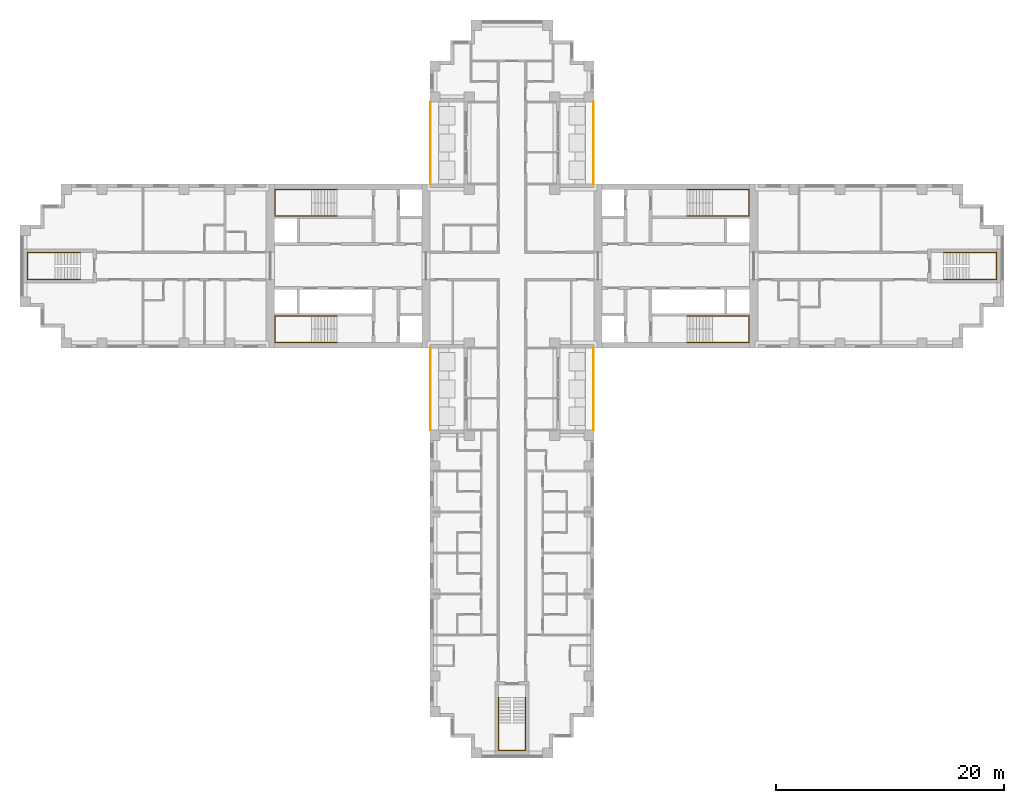
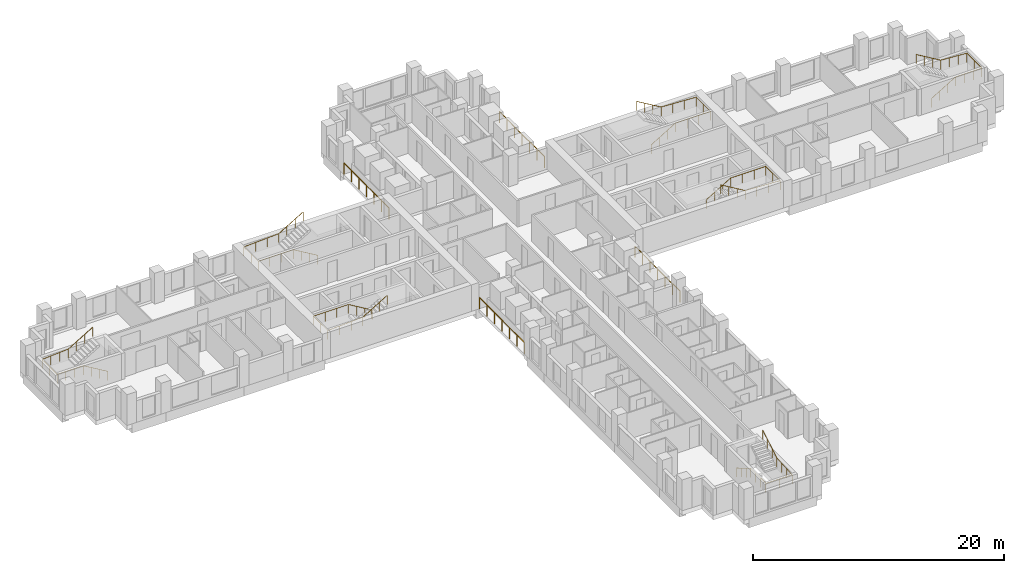
# One storey, part 13 of 14: 11 railings.
"""IFC4 building model written with IfcOpenShell, lengths in metres."""

import ifcopenshell
import ifcopenshell.guid

model = None  # the IFC model being written
_history = None  # IfcOwnerHistory: only IFC2X3 demands one
_inside = {}  # id of a spatial element -> (the spatial element, [elements in it])
_under = {}  # id of a project, library or spatial element -> (it, [spatial elements below it])
_declared = {}  # id of a project -> (the project, [libraries it declares])
_typed = {}  # id of a type object -> (the type object, [elements of that type])
_made_of = {}  # id of a material, layer set ... -> (it, [elements and type objects made of it])


def new_model(schema):
    """Start an empty IFC model of exactly this schema.

    Asked for "IFC4X3", IfcOpenShell would pick the latest addendum, in which some entities
    have other attributes; the version numbers below select the first issue.
    IFC2X3 requires an IfcOwnerHistory on every rooted entity: one is made here for all.
    """
    global model, _history
    if schema == "IFC4X3":
        model = ifcopenshell.file(schema_version=(4, 3, 0, 0))
    else:
        model = ifcopenshell.file(schema=schema)
    _inside.clear()
    _under.clear()
    _declared.clear()
    _typed.clear()
    _made_of.clear()
    _history = None
    if model.schema == "IFC2X3":
        org = make("IfcOrganization", Name="unknown")
        user = make(
            "IfcPersonAndOrganization",
            ThePerson=make("IfcPerson", FamilyName="unknown"),
            TheOrganization=org,
        )
        app = make(
            "IfcApplication",
            ApplicationDeveloper=org,
            Version="unknown",
            ApplicationFullName="unknown",
            ApplicationIdentifier="unknown",
        )
        _history = make(
            "IfcOwnerHistory",
            OwningUser=user,
            OwningApplication=app,
            ChangeAction="ADDED",
            CreationDate=0,
        )
    return model


def make(cls, **values):
    """One entity of the class cls with the attributes given. An attribute that is None is left unset."""
    return model.create_entity(
        cls, **{name: value for name, value in values.items() if value is not None}
    )


def rooted(cls, **values):
    """An entity with a GlobalId (a new one), such as an element, a storey or a relation."""
    return make(cls, GlobalId=ifcopenshell.guid.new(), OwnerHistory=_history, **values)


def si_unit(unit_type, name, prefix=None):
    """IfcSIUnit, for example si_unit("LENGTHUNIT", "METRE", prefix="MILLI")."""
    return make("IfcSIUnit", UnitType=unit_type, Prefix=prefix, Name=name)


def assignment(units):
    """IfcUnitAssignment: the units of a project."""
    return None if units is None else make("IfcUnitAssignment", Units=units)


def point(xyz):
    """IfcCartesianPoint."""
    return None if xyz is None else make("IfcCartesianPoint", Coordinates=xyz)


def direction(xyz):
    """IfcDirection."""
    return None if xyz is None else make("IfcDirection", DirectionRatios=xyz)


def frame(location, z_axis=None, x_axis=None):
    """IfcAxis2Placement3D, a coordinate frame: its origin and axes. An axis left out is left unset."""
    return make(
        "IfcAxis2Placement3D",
        Location=point(location),
        Axis=direction(z_axis),
        RefDirection=direction(x_axis),
    )


def frame_2d(location, x_axis=None):
    """IfcAxis2Placement2D, a coordinate frame in the plane: its origin and x axis."""
    return make(
        "IfcAxis2Placement2D", Location=point(location), RefDirection=direction(x_axis)
    )


def origin():
    """The frame at (0, 0, 0) with its axes left unset."""
    return frame((0.0, 0.0, 0.0))


def origin_2d():
    """The frame at (0, 0) in the plane with its x axis left unset."""
    return frame_2d((0.0, 0.0))


def place(relative_to, where):
    """IfcLocalPlacement: puts the frame where relative to a parent placement (None: the world)."""
    return make(
        "IfcLocalPlacement", PlacementRelTo=relative_to, RelativePlacement=where
    )


def context(
    kind, dimensions, precision=None, world=None, true_north=None, identifier=None
):
    """IfcGeometricRepresentationContext, for example the 3D "Model" context."""
    return make(
        "IfcGeometricRepresentationContext",
        ContextIdentifier=identifier,
        ContextType=kind,
        CoordinateSpaceDimension=dimensions,
        Precision=precision,
        WorldCoordinateSystem=world,
        TrueNorth=true_north,
    )


def subcontext(parent, identifier, kind, view, scale=None):
    """IfcGeometricRepresentationSubContext, for example "Body" below "Model"."""
    return make(
        "IfcGeometricRepresentationSubContext",
        ContextIdentifier=identifier,
        ContextType=kind,
        ParentContext=parent,
        TargetScale=scale,
        TargetView=view,
    )


def project(units=None, contexts=None):
    """IfcProject with its units and contexts."""
    return rooted(
        "IfcProject",
        Name="project",
        RepresentationContexts=contexts,
        UnitsInContext=assignment(units),
    )


def spatial(cls, under=None, at=None, **own):
    """A site, building, storey or space (cls), placed at a placement, below another one or the project."""
    s = rooted(cls, ObjectPlacement=at, **own)
    if under is not None:
        _under.setdefault(under.id(), (under, []))[1].append(s)
    return s


def profile(cls, at=None, kind="AREA", **sizes):
    """A parametric profile (cls). Its sizes go by their IFC names, for example OverallWidth=200.0."""
    return make(cls, ProfileType=kind, Position=at, **sizes)


def circle(**sizes):
    """IfcCircleProfileDef."""
    return profile("IfcCircleProfileDef", **sizes)


def extrude(swept, where, along, depth):
    """IfcExtrudedAreaSolid: the profile swept, set in the frame where, extruded along a direction by depth."""
    return make(
        "IfcExtrudedAreaSolid",
        SweptArea=swept,
        Position=where,
        ExtrudedDirection=direction(along),
        Depth=depth,
    )


def shape(context_of_items, identifier, shape_type, items):
    """IfcShapeRepresentation: the items that make up one representation, for example the "Body"."""
    return make(
        "IfcShapeRepresentation",
        ContextOfItems=context_of_items,
        RepresentationIdentifier=identifier,
        RepresentationType=shape_type,
        Items=items,
    )


def material(Name=None, Category=None):
    """IfcMaterial."""
    return make("IfcMaterial", Name=Name, Category=Category)


def made_of(thing, what):
    """Note that an element or type object is made of a material, layer set ...; save() writes the relation."""
    if what is not None:
        _made_of.setdefault(what.id(), (what, []))[1].append(thing)
    return thing


def type_object(cls, material=None, **own):
    """A type object (cls), such as IfcWallType, which elements share."""
    return made_of(rooted(cls, **own), material)


def element(
    cls,
    number,
    at=None,
    inside=None,
    cuts=None,
    type_object=None,
    material=None,
    context=None,
    identifier="Body",
    shape_type=None,
    held_by="IfcProductDefinitionShape",
    body=None,
    shapes=None,
    **own,
):
    """One element of the class cls, such as IfcWall. Its Tag is "e" and its number.

    at: its placement. inside: the storey or other place that contains it. cuts: it is an
    opening in that element (IfcRelVoidsElement). A single representation is given by context,
    identifier, shape_type and body (its items); several are given by shapes. held_by: the class
    of the entity that holds the representations. save() writes the other relations.
    """
    e = rooted(cls, Tag="e%d" % number, ObjectPlacement=at, **own)
    if body is not None:
        shapes = [shape(context, identifier, shape_type, body)]
    if shapes is not None:
        e.Representation = make(held_by, Representations=shapes)
    if inside is not None:
        _inside.setdefault(inside.id(), (inside, []))[1].append(e)
    if cuts is not None:
        rooted(
            "IfcRelVoidsElement", RelatingBuildingElement=cuts, RelatedOpeningElement=e
        )
    if type_object is not None:
        _typed.setdefault(type_object.id(), (type_object, []))[1].append(e)
    return made_of(e, material)


def aggregate(whole, parts):
    """IfcRelAggregates: a whole, such as a stair, and the parts it consists of."""
    return rooted("IfcRelAggregates", RelatingObject=whole, RelatedObjects=parts)


def save(model, path):
    """Write the relations noted so far, then the file.

    IfcRelAggregates (storeys below a building ...), IfcRelContainedInSpatialStructure (elements
    in a storey), IfcRelDefinesByType, IfcRelAssociatesMaterial and IfcRelDeclares: one each for
    every whole, place, type object, material and project.
    """
    for whole, parts in _under.values():
        aggregate(whole, parts)
    for where, things in _inside.values():
        rooted(
            "IfcRelContainedInSpatialStructure",
            RelatedElements=things,
            RelatingStructure=where,
        )
    for kind, things in _typed.values():
        rooted("IfcRelDefinesByType", RelatedObjects=things, RelatingType=kind)
    for what, things in _made_of.values():
        rooted("IfcRelAssociatesMaterial", RelatedObjects=things, RelatingMaterial=what)
    for by, libraries in _declared.values():
        rooted("IfcRelDeclares", RelatingContext=by, RelatedDefinitions=libraries)
    model.write(path)


model = new_model("IFC4")

# Units and contexts
model_context = context("Model", 3, precision=1e-05, world=origin(), true_north=direction((0.0, 1.0)))
body_context = subcontext(model_context, "Body", "Model", "MODEL_VIEW")
ifc_project = project(units=[si_unit("LENGTHUNIT", "METRE"), si_unit("AREAUNIT", "SQUARE_METRE"), si_unit("VOLUMEUNIT", "CUBIC_METRE"), si_unit("PLANEANGLEUNIT", "RADIAN"), si_unit("MASSUNIT", "GRAM", prefix="KILO")], contexts=[model_context])

# Site, building, storey
site_placement = place(None, origin())
site = spatial("IfcSite", under=ifc_project, at=site_placement, CompositionType="ELEMENT")
building_placement = place(site_placement, origin())
building = spatial("IfcBuilding", under=site, at=building_placement, Name="Fustian Cross Tower", CompositionType="ELEMENT")
storey_placement = place(building_placement, frame((0.0, 0.0, 69.89990234375)))
storey = spatial("IfcBuildingStorey", under=building, at=storey_placement, Name="L21", CompositionType="ELEMENT", Elevation=69.89990234375)

# Railings
ifc_material_1 = material(Name="Stainless steel and glass", Category="steel")
railing_type_1 = type_object("IfcRailingType", Name="GR1 BALCONY GUARD 1100", PredefinedType="GUARDRAIL", material=ifc_material_1)
for number, where, name in (
    (1, (7.14990234375, 7.199951171875, 0.0), "Balcony guard"),
    (2, (-7.14990234375, 7.199951171875, 0.0), "Balcony guard"),
    (3, (7.14990234375, -14.39990234375, 0.0), "Balcony guard"),
    (4, (-7.14990234375, -14.39990234375, 0.0), "Balcony guard"),
):
    element("IfcRailing", number, at=place(storey_placement, frame(where)), inside=storey, type_object=railing_type_1, Name=name, PredefinedType="GUARDRAIL", context=body_context, shape_type="SweptSolid", body=[
        extrude(circle(Radius=0.02392578125, at=origin_2d()), frame((0.0, 0.0, 1.076171875), z_axis=(0.0, 1.0, 0.0), x_axis=(-1.0, 0.0, 0.0)), (0.0, 0.0, 1.0), 7.199951171875),
        extrude(circle(Radius=0.02099609375, at=origin_2d()), origin(), (0.0, 0.0, 1.0), 1.052001953125),
        extrude(circle(Radius=0.02099609375, at=origin_2d()), frame((0.0, 1.199951171875, 0.0)), (0.0, 0.0, 1.0), 1.052001953125),
        extrude(circle(Radius=0.02099609375, at=origin_2d()), frame((0.0, 2.39990234375, 0.0)), (0.0, 0.0, 1.0), 1.052001953125),
        extrude(circle(Radius=0.02099609375, at=origin_2d()), frame((0.0, 3.60009765625, 0.0)), (0.0, 0.0, 1.0), 1.052001953125),
        extrude(circle(Radius=0.02099609375, at=origin_2d()), frame((0.0, 4.800048828125, 0.0)), (0.0, 0.0, 1.0), 1.052001953125),
        extrude(circle(Radius=0.02099609375, at=origin_2d()), frame((0.0, 6.0, 0.0)), (0.0, 0.0, 1.0), 1.052001953125),
        extrude(circle(Radius=0.02099609375, at=origin_2d()), frame((0.0, 7.199951171875, 0.0)), (0.0, 0.0, 1.0), 1.052001953125),
    ])
ifc_material_2 = material(Name="Stainless steel", Category="steel")
railing_type_2 = type_object("IfcRailingType", Name="STAIR HANDRAIL", PredefinedType="HANDRAIL", material=ifc_material_2)
railing_1_placement = place(storey_placement, frame((15.35009765625, 4.39990234375, 0.166748046875)))
element("IfcRailing", 5, at=railing_1_placement, inside=storey, type_object=railing_type_2, Name="Stair ST1 handrail 1", PredefinedType="HANDRAIL", context=body_context, shape_type="SweptSolid", body=[
    extrude(circle(Radius=0.02490234375, at=origin_2d()), frame((0.0, 0.0, 0.875), z_axis=(0.859305625298, 0.0, 0.511462454469), x_axis=(0.0, 1.0, 0.0)), (0.0, 0.0, 1.0), 2.606689453125),
    extrude(circle(Radius=0.02490234375, at=origin_2d()), frame((2.239990234375, 0.0, 2.2080078125), z_axis=(1.0, 0.0, 0.0), x_axis=(0.0, 1.0, 0.0)), (0.0, 0.0, 1.0), 3.219970703125),
    extrude(circle(Radius=0.02490234375, at=origin_2d()), frame((5.4599609375, 0.0, 2.2080078125), z_axis=(0.0, 1.0, 0.0), x_axis=(-1.0, 0.0, 0.0)), (0.0, 0.0, 1.0), 2.300048828125),
    extrude(circle(Radius=0.02490234375, at=origin_2d()), frame((5.4599609375, 2.300048828125, 2.2080078125), z_axis=(-0.998661817807, 0.0, 0.051716280352), x_axis=(0.0, -1.0, 0.0)), (0.0, 0.0, 1.0), 3.224365234375),
    extrude(circle(Radius=0.02490234375, at=origin_2d()), frame((2.239990234375, 2.300048828125, 2.375), z_axis=(-0.859305625298, 0.0, 0.511462454469), x_axis=(0.0, -1.0, 0.0)), (0.0, 0.0, 1.0), 2.606689453125),
    extrude(circle(Radius=0.02001953125, at=origin_2d()), origin(), (0.0, 0.0, 1.0), 0.849853515625),
    extrude(circle(Radius=0.02001953125, at=origin_2d()), frame((0.74658203125, 0.0, 0.4443359375)), (0.0, 0.0, 1.0), 0.849853515625),
    extrude(circle(Radius=0.02001953125, at=origin_2d()), frame((1.493408203125, 0.0, 0.888916015625)), (0.0, 0.0, 1.0), 0.849853515625),
    extrude(circle(Radius=0.02001953125, at=origin_2d()), frame((2.239990234375, 0.0, 1.333251953125)), (0.0, 0.0, 1.0), 0.849853515625),
    extrude(circle(Radius=0.02001953125, at=origin_2d()), frame((3.313232421875, 0.0, 1.333251953125)), (0.0, 0.0, 1.0), 0.849853515625),
    extrude(circle(Radius=0.02001953125, at=origin_2d()), frame((4.38671875, 0.0, 1.333251953125)), (0.0, 0.0, 1.0), 0.849853515625),
    extrude(circle(Radius=0.02001953125, at=origin_2d()), frame((5.4599609375, 0.0, 1.333251953125)), (0.0, 0.0, 1.0), 0.849853515625),
    extrude(circle(Radius=0.02001953125, at=origin_2d()), frame((5.4599609375, 1.14990234375, 1.333251953125)), (0.0, 0.0, 1.0), 0.849853515625),
    extrude(circle(Radius=0.02001953125, at=origin_2d()), frame((5.4599609375, 2.300048828125, 1.333251953125)), (0.0, 0.0, 1.0), 0.849853515625),
    extrude(circle(Radius=0.02001953125, at=origin_2d()), frame((4.38671875, 2.300048828125, 1.388916015625)), (0.0, 0.0, 1.0), 0.849853515625),
    extrude(circle(Radius=0.02001953125, at=origin_2d()), frame((3.313232421875, 2.300048828125, 1.4443359375)), (0.0, 0.0, 1.0), 0.849853515625),
    extrude(circle(Radius=0.02001953125, at=origin_2d()), frame((2.239990234375, 2.300048828125, 1.5)), (0.0, 0.0, 1.0), 0.849853515625),
    extrude(circle(Radius=0.02001953125, at=origin_2d()), frame((1.493408203125, 2.300048828125, 1.9443359375)), (0.0, 0.0, 1.0), 0.849853515625),
    extrude(circle(Radius=0.02001953125, at=origin_2d()), frame((0.74658203125, 2.300048828125, 2.388916015625)), (0.0, 0.0, 1.0), 0.849853515625),
    extrude(circle(Radius=0.02001953125, at=origin_2d()), frame((0.0, 2.300048828125, 2.833251953125)), (0.0, 0.0, 1.0), 0.849853515625),
])
railing_2_placement = place(storey_placement, frame((15.35009765625, -4.39990234375, 0.166748046875)))
element("IfcRailing", 6, at=railing_2_placement, inside=storey, type_object=railing_type_2, Name="Stair ST2 handrail 1", PredefinedType="HANDRAIL", context=body_context, shape_type="SweptSolid", body=[
    extrude(circle(Radius=0.02490234375, at=origin_2d()), frame((0.0, 0.0, 0.875), z_axis=(0.859305625298, 0.0, 0.511462454469), x_axis=(0.0, 1.0, 0.0)), (0.0, 0.0, 1.0), 2.606689453125),
    extrude(circle(Radius=0.02490234375, at=origin_2d()), frame((2.239990234375, 0.0, 2.2080078125), z_axis=(1.0, 0.0, 0.0), x_axis=(0.0, 1.0, 0.0)), (0.0, 0.0, 1.0), 3.219970703125),
    extrude(circle(Radius=0.02490234375, at=origin_2d()), frame((5.4599609375, 0.0, 2.2080078125), z_axis=(0.0, -1.0, 0.0), x_axis=(1.0, 0.0, 0.0)), (0.0, 0.0, 1.0), 2.300048828125),
    extrude(circle(Radius=0.02490234375, at=origin_2d()), frame((5.4599609375, -2.300048828125, 2.2080078125), z_axis=(-0.998661817807, 0.0, 0.051716280352), x_axis=(0.0, -1.0, 0.0)), (0.0, 0.0, 1.0), 3.224365234375),
    extrude(circle(Radius=0.02490234375, at=origin_2d()), frame((2.239990234375, -2.300048828125, 2.375), z_axis=(-0.859305625298, 0.0, 0.511462454469), x_axis=(0.0, -1.0, 0.0)), (0.0, 0.0, 1.0), 2.606689453125),
    extrude(circle(Radius=0.02001953125, at=origin_2d()), origin(), (0.0, 0.0, 1.0), 0.849853515625),
    extrude(circle(Radius=0.02001953125, at=origin_2d()), frame((0.74658203125, 0.0, 0.4443359375)), (0.0, 0.0, 1.0), 0.849853515625),
    extrude(circle(Radius=0.02001953125, at=origin_2d()), frame((1.493408203125, 0.0, 0.888916015625)), (0.0, 0.0, 1.0), 0.849853515625),
    extrude(circle(Radius=0.02001953125, at=origin_2d()), frame((2.239990234375, 0.0, 1.333251953125)), (0.0, 0.0, 1.0), 0.849853515625),
    extrude(circle(Radius=0.02001953125, at=origin_2d()), frame((3.313232421875, 0.0, 1.333251953125)), (0.0, 0.0, 1.0), 0.849853515625),
    extrude(circle(Radius=0.02001953125, at=origin_2d()), frame((4.38671875, 0.0, 1.333251953125)), (0.0, 0.0, 1.0), 0.849853515625),
    extrude(circle(Radius=0.02001953125, at=origin_2d()), frame((5.4599609375, 0.0, 1.333251953125)), (0.0, 0.0, 1.0), 0.849853515625),
    extrude(circle(Radius=0.02001953125, at=origin_2d()), frame((5.4599609375, -1.14990234375, 1.333251953125)), (0.0, 0.0, 1.0), 0.849853515625),
    extrude(circle(Radius=0.02001953125, at=origin_2d()), frame((5.4599609375, -2.300048828125, 1.333251953125)), (0.0, 0.0, 1.0), 0.849853515625),
    extrude(circle(Radius=0.02001953125, at=origin_2d()), frame((4.38671875, -2.300048828125, 1.388916015625)), (0.0, 0.0, 1.0), 0.849853515625),
    extrude(circle(Radius=0.02001953125, at=origin_2d()), frame((3.313232421875, -2.300048828125, 1.4443359375)), (0.0, 0.0, 1.0), 0.849853515625),
    extrude(circle(Radius=0.02001953125, at=origin_2d()), frame((2.239990234375, -2.300048828125, 1.5)), (0.0, 0.0, 1.0), 0.849853515625),
    extrude(circle(Radius=0.02001953125, at=origin_2d()), frame((1.493408203125, -2.300048828125, 1.9443359375)), (0.0, 0.0, 1.0), 0.849853515625),
    extrude(circle(Radius=0.02001953125, at=origin_2d()), frame((0.74658203125, -2.300048828125, 2.388916015625)), (0.0, 0.0, 1.0), 0.849853515625),
    extrude(circle(Radius=0.02001953125, at=origin_2d()), frame((0.0, -2.300048828125, 2.833251953125)), (0.0, 0.0, 1.0), 0.849853515625),
])
railing_3_placement = place(storey_placement, frame((-15.35009765625, 4.39990234375, 0.166748046875)))
element("IfcRailing", 7, at=railing_3_placement, inside=storey, type_object=railing_type_2, Name="Stair ST3 handrail 1", PredefinedType="HANDRAIL", context=body_context, shape_type="SweptSolid", body=[
    extrude(circle(Radius=0.02490234375, at=origin_2d()), frame((0.0, 0.0, 0.875), z_axis=(-0.859305625298, 0.0, 0.511462454469), x_axis=(0.0, -1.0, 0.0)), (0.0, 0.0, 1.0), 2.606689453125),
    extrude(circle(Radius=0.02490234375, at=origin_2d()), frame((-2.239990234375, 0.0, 2.2080078125), z_axis=(-1.0, 0.0, 0.0), x_axis=(0.0, -1.0, 0.0)), (0.0, 0.0, 1.0), 3.219970703125),
    extrude(circle(Radius=0.02490234375, at=origin_2d()), frame((-5.4599609375, 0.0, 2.2080078125), z_axis=(0.0, 1.0, 0.0), x_axis=(-1.0, 0.0, 0.0)), (0.0, 0.0, 1.0), 2.300048828125),
    extrude(circle(Radius=0.02490234375, at=origin_2d()), frame((-5.4599609375, 2.300048828125, 2.2080078125), z_axis=(0.998661817807, 0.0, 0.051716280352), x_axis=(0.0, 1.0, 0.0)), (0.0, 0.0, 1.0), 3.224365234375),
    extrude(circle(Radius=0.02490234375, at=origin_2d()), frame((-2.239990234375, 2.300048828125, 2.375), z_axis=(0.859305625298, 0.0, 0.511462454469), x_axis=(0.0, 1.0, 0.0)), (0.0, 0.0, 1.0), 2.606689453125),
    extrude(circle(Radius=0.02001953125, at=origin_2d()), origin(), (0.0, 0.0, 1.0), 0.849853515625),
    extrude(circle(Radius=0.02001953125, at=origin_2d()), frame((-0.74658203125, 0.0, 0.4443359375)), (0.0, 0.0, 1.0), 0.849853515625),
    extrude(circle(Radius=0.02001953125, at=origin_2d()), frame((-1.493408203125, 0.0, 0.888916015625)), (0.0, 0.0, 1.0), 0.849853515625),
    extrude(circle(Radius=0.02001953125, at=origin_2d()), frame((-2.239990234375, 0.0, 1.333251953125)), (0.0, 0.0, 1.0), 0.849853515625),
    extrude(circle(Radius=0.02001953125, at=origin_2d()), frame((-3.313232421875, 0.0, 1.333251953125)), (0.0, 0.0, 1.0), 0.849853515625),
    extrude(circle(Radius=0.02001953125, at=origin_2d()), frame((-4.38671875, 0.0, 1.333251953125)), (0.0, 0.0, 1.0), 0.849853515625),
    extrude(circle(Radius=0.02001953125, at=origin_2d()), frame((-5.4599609375, 0.0, 1.333251953125)), (0.0, 0.0, 1.0), 0.849853515625),
    extrude(circle(Radius=0.02001953125, at=origin_2d()), frame((-5.4599609375, 1.14990234375, 1.333251953125)), (0.0, 0.0, 1.0), 0.849853515625),
    extrude(circle(Radius=0.02001953125, at=origin_2d()), frame((-5.4599609375, 2.300048828125, 1.333251953125)), (0.0, 0.0, 1.0), 0.849853515625),
    extrude(circle(Radius=0.02001953125, at=origin_2d()), frame((-4.38671875, 2.300048828125, 1.388916015625)), (0.0, 0.0, 1.0), 0.849853515625),
    extrude(circle(Radius=0.02001953125, at=origin_2d()), frame((-3.313232421875, 2.300048828125, 1.4443359375)), (0.0, 0.0, 1.0), 0.849853515625),
    extrude(circle(Radius=0.02001953125, at=origin_2d()), frame((-2.239990234375, 2.300048828125, 1.5)), (0.0, 0.0, 1.0), 0.849853515625),
    extrude(circle(Radius=0.02001953125, at=origin_2d()), frame((-1.493408203125, 2.300048828125, 1.9443359375)), (0.0, 0.0, 1.0), 0.849853515625),
    extrude(circle(Radius=0.02001953125, at=origin_2d()), frame((-0.74658203125, 2.300048828125, 2.388916015625)), (0.0, 0.0, 1.0), 0.849853515625),
    extrude(circle(Radius=0.02001953125, at=origin_2d()), frame((0.0, 2.300048828125, 2.833251953125)), (0.0, 0.0, 1.0), 0.849853515625),
])
railing_4_placement = place(storey_placement, frame((-15.35009765625, -4.39990234375, 0.166748046875)))
element("IfcRailing", 8, at=railing_4_placement, inside=storey, type_object=railing_type_2, Name="Stair ST4 handrail 1", PredefinedType="HANDRAIL", context=body_context, shape_type="SweptSolid", body=[
    extrude(circle(Radius=0.02490234375, at=origin_2d()), frame((0.0, 0.0, 0.875), z_axis=(-0.859305625298, 0.0, 0.511462454469), x_axis=(0.0, -1.0, 0.0)), (0.0, 0.0, 1.0), 2.606689453125),
    extrude(circle(Radius=0.02490234375, at=origin_2d()), frame((-2.239990234375, 0.0, 2.2080078125), z_axis=(-1.0, 0.0, 0.0), x_axis=(0.0, -1.0, 0.0)), (0.0, 0.0, 1.0), 3.219970703125),
    extrude(circle(Radius=0.02490234375, at=origin_2d()), frame((-5.4599609375, 0.0, 2.2080078125), z_axis=(0.0, -1.0, 0.0), x_axis=(1.0, 0.0, 0.0)), (0.0, 0.0, 1.0), 2.300048828125),
    extrude(circle(Radius=0.02490234375, at=origin_2d()), frame((-5.4599609375, -2.300048828125, 2.2080078125), z_axis=(0.998661817807, 0.0, 0.051716280352), x_axis=(0.0, 1.0, 0.0)), (0.0, 0.0, 1.0), 3.224365234375),
    extrude(circle(Radius=0.02490234375, at=origin_2d()), frame((-2.239990234375, -2.300048828125, 2.375), z_axis=(0.859305625298, 0.0, 0.511462454469), x_axis=(0.0, 1.0, 0.0)), (0.0, 0.0, 1.0), 2.606689453125),
    extrude(circle(Radius=0.02001953125, at=origin_2d()), origin(), (0.0, 0.0, 1.0), 0.849853515625),
    extrude(circle(Radius=0.02001953125, at=origin_2d()), frame((-0.74658203125, 0.0, 0.4443359375)), (0.0, 0.0, 1.0), 0.849853515625),
    extrude(circle(Radius=0.02001953125, at=origin_2d()), frame((-1.493408203125, 0.0, 0.888916015625)), (0.0, 0.0, 1.0), 0.849853515625),
    extrude(circle(Radius=0.02001953125, at=origin_2d()), frame((-2.239990234375, 0.0, 1.333251953125)), (0.0, 0.0, 1.0), 0.849853515625),
    extrude(circle(Radius=0.02001953125, at=origin_2d()), frame((-3.313232421875, 0.0, 1.333251953125)), (0.0, 0.0, 1.0), 0.849853515625),
    extrude(circle(Radius=0.02001953125, at=origin_2d()), frame((-4.38671875, 0.0, 1.333251953125)), (0.0, 0.0, 1.0), 0.849853515625),
    extrude(circle(Radius=0.02001953125, at=origin_2d()), frame((-5.4599609375, 0.0, 1.333251953125)), (0.0, 0.0, 1.0), 0.849853515625),
    extrude(circle(Radius=0.02001953125, at=origin_2d()), frame((-5.4599609375, -1.14990234375, 1.333251953125)), (0.0, 0.0, 1.0), 0.849853515625),
    extrude(circle(Radius=0.02001953125, at=origin_2d()), frame((-5.4599609375, -2.300048828125, 1.333251953125)), (0.0, 0.0, 1.0), 0.849853515625),
    extrude(circle(Radius=0.02001953125, at=origin_2d()), frame((-4.38671875, -2.300048828125, 1.388916015625)), (0.0, 0.0, 1.0), 0.849853515625),
    extrude(circle(Radius=0.02001953125, at=origin_2d()), frame((-3.313232421875, -2.300048828125, 1.4443359375)), (0.0, 0.0, 1.0), 0.849853515625),
    extrude(circle(Radius=0.02001953125, at=origin_2d()), frame((-2.239990234375, -2.300048828125, 1.5)), (0.0, 0.0, 1.0), 0.849853515625),
    extrude(circle(Radius=0.02001953125, at=origin_2d()), frame((-1.493408203125, -2.300048828125, 1.9443359375)), (0.0, 0.0, 1.0), 0.849853515625),
    extrude(circle(Radius=0.02001953125, at=origin_2d()), frame((-0.74658203125, -2.300048828125, 2.388916015625)), (0.0, 0.0, 1.0), 0.849853515625),
    extrude(circle(Radius=0.02001953125, at=origin_2d()), frame((0.0, -2.300048828125, 2.833251953125)), (0.0, 0.0, 1.0), 0.849853515625),
])
railing_5_placement = place(storey_placement, frame((-1.199951171875, -37.89990234375, 0.166748046875)))
element("IfcRailing", 9, at=railing_5_placement, inside=storey, type_object=railing_type_2, Name="Stair ST6 handrail 1", PredefinedType="HANDRAIL", context=body_context, shape_type="SweptSolid", body=[
    extrude(circle(Radius=0.02490234375, at=origin_2d()), frame((0.0, 0.0, 0.875), z_axis=(0.0, -0.859305625298, 0.511462454469), x_axis=(1.0, 0.0, 0.0)), (0.0, 0.0, 1.0), 2.606689453125),
    extrude(circle(Radius=0.02490234375, at=origin_2d()), frame((0.0, -2.239990234375, 2.2080078125), z_axis=(0.0, -1.0, 0.0), x_axis=(1.0, 0.0, 0.0)), (0.0, 0.0, 1.0), 2.420166015625),
    extrude(circle(Radius=0.02490234375, at=origin_2d()), frame((0.0, -4.66015625, 2.2080078125), z_axis=(1.0, 0.0, 0.0), x_axis=(0.0, 1.0, 0.0)), (0.0, 0.0, 1.0), 2.39990234375),
    extrude(circle(Radius=0.02490234375, at=origin_2d()), frame((2.39990234375, -4.66015625, 2.2080078125), z_axis=(0.0, 0.997634852044, 0.068736467663), x_axis=(-1.0, 0.0, 0.0)), (0.0, 0.0, 1.0), 2.426025390625),
    extrude(circle(Radius=0.02490234375, at=origin_2d()), frame((2.39990234375, -2.239990234375, 2.375), z_axis=(0.0, 0.859305625298, 0.511462454469), x_axis=(-1.0, 0.0, 0.0)), (0.0, 0.0, 1.0), 2.606689453125),
    extrude(circle(Radius=0.02001953125, at=origin_2d()), origin(), (0.0, 0.0, 1.0), 0.849853515625),
    extrude(circle(Radius=0.02001953125, at=origin_2d()), frame((0.0, -0.74658203125, 0.4443359375)), (0.0, 0.0, 1.0), 0.849853515625),
    extrude(circle(Radius=0.02001953125, at=origin_2d()), frame((0.0, -1.493408203125, 0.888916015625)), (0.0, 0.0, 1.0), 0.849853515625),
    extrude(circle(Radius=0.02001953125, at=origin_2d()), frame((0.0, -2.239990234375, 1.333251953125)), (0.0, 0.0, 1.0), 0.849853515625),
    extrude(circle(Radius=0.02001953125, at=origin_2d()), frame((0.0, -3.046630859375, 1.333251953125)), (0.0, 0.0, 1.0), 0.849853515625),
    extrude(circle(Radius=0.02001953125, at=origin_2d()), frame((0.0, -3.853515625, 1.333251953125)), (0.0, 0.0, 1.0), 0.849853515625),
    extrude(circle(Radius=0.02001953125, at=origin_2d()), frame((0.0, -4.66015625, 1.333251953125)), (0.0, 0.0, 1.0), 0.849853515625),
    extrude(circle(Radius=0.02001953125, at=origin_2d()), frame((1.199951171875, -4.66015625, 1.333251953125)), (0.0, 0.0, 1.0), 0.849853515625),
    extrude(circle(Radius=0.02001953125, at=origin_2d()), frame((2.39990234375, -4.66015625, 1.333251953125)), (0.0, 0.0, 1.0), 0.849853515625),
    extrude(circle(Radius=0.02001953125, at=origin_2d()), frame((2.39990234375, -3.853515625, 1.388916015625)), (0.0, 0.0, 1.0), 0.849853515625),
    extrude(circle(Radius=0.02001953125, at=origin_2d()), frame((2.39990234375, -3.046630859375, 1.4443359375)), (0.0, 0.0, 1.0), 0.849853515625),
    extrude(circle(Radius=0.02001953125, at=origin_2d()), frame((2.39990234375, -2.239990234375, 1.5)), (0.0, 0.0, 1.0), 0.849853515625),
    extrude(circle(Radius=0.02001953125, at=origin_2d()), frame((2.39990234375, -1.493408203125, 1.9443359375)), (0.0, 0.0, 1.0), 0.849853515625),
    extrude(circle(Radius=0.02001953125, at=origin_2d()), frame((2.39990234375, -0.74658203125, 2.388916015625)), (0.0, 0.0, 1.0), 0.849853515625),
    extrude(circle(Radius=0.02001953125, at=origin_2d()), frame((2.39990234375, 0.0, 2.833251953125)), (0.0, 0.0, 1.0), 0.849853515625),
])
railing_6_placement = place(storey_placement, frame((37.89990234375, -1.199951171875, 0.166748046875)))
element("IfcRailing", 10, at=railing_6_placement, inside=storey, type_object=railing_type_2, Name="Stair ST8 handrail 1", PredefinedType="HANDRAIL", context=body_context, shape_type="SweptSolid", body=[
    extrude(circle(Radius=0.02490234375, at=origin_2d()), frame((0.0, 0.0, 0.875), z_axis=(0.859305625298, 0.0, 0.511462454469), x_axis=(0.0, 1.0, 0.0)), (0.0, 0.0, 1.0), 2.606689453125),
    extrude(circle(Radius=0.02490234375, at=origin_2d()), frame((2.239990234375, 0.0, 2.2080078125), z_axis=(1.0, 0.0, 0.0), x_axis=(0.0, 1.0, 0.0)), (0.0, 0.0, 1.0), 2.420166015625),
    extrude(circle(Radius=0.02490234375, at=origin_2d()), frame((4.66015625, 0.0, 2.2080078125), z_axis=(0.0, 1.0, 0.0), x_axis=(-1.0, 0.0, 0.0)), (0.0, 0.0, 1.0), 2.39990234375),
    extrude(circle(Radius=0.02490234375, at=origin_2d()), frame((4.66015625, 2.39990234375, 2.2080078125), z_axis=(-0.997634852044, 0.0, 0.068736467663), x_axis=(0.0, -1.0, 0.0)), (0.0, 0.0, 1.0), 2.426025390625),
    extrude(circle(Radius=0.02490234375, at=origin_2d()), frame((2.239990234375, 2.39990234375, 2.375), z_axis=(-0.859305625298, 0.0, 0.511462454469), x_axis=(0.0, -1.0, 0.0)), (0.0, 0.0, 1.0), 2.606689453125),
    extrude(circle(Radius=0.02001953125, at=origin_2d()), origin(), (0.0, 0.0, 1.0), 0.849853515625),
    extrude(circle(Radius=0.02001953125, at=origin_2d()), frame((0.74658203125, 0.0, 0.4443359375)), (0.0, 0.0, 1.0), 0.849853515625),
    extrude(circle(Radius=0.02001953125, at=origin_2d()), frame((1.493408203125, 0.0, 0.888916015625)), (0.0, 0.0, 1.0), 0.849853515625),
    extrude(circle(Radius=0.02001953125, at=origin_2d()), frame((2.239990234375, 0.0, 1.333251953125)), (0.0, 0.0, 1.0), 0.849853515625),
    extrude(circle(Radius=0.02001953125, at=origin_2d()), frame((3.046630859375, 0.0, 1.333251953125)), (0.0, 0.0, 1.0), 0.849853515625),
    extrude(circle(Radius=0.02001953125, at=origin_2d()), frame((3.853515625, 0.0, 1.333251953125)), (0.0, 0.0, 1.0), 0.849853515625),
    extrude(circle(Radius=0.02001953125, at=origin_2d()), frame((4.66015625, 0.0, 1.333251953125)), (0.0, 0.0, 1.0), 0.849853515625),
    extrude(circle(Radius=0.02001953125, at=origin_2d()), frame((4.66015625, 1.199951171875, 1.333251953125)), (0.0, 0.0, 1.0), 0.849853515625),
    extrude(circle(Radius=0.02001953125, at=origin_2d()), frame((4.66015625, 2.39990234375, 1.333251953125)), (0.0, 0.0, 1.0), 0.849853515625),
    extrude(circle(Radius=0.02001953125, at=origin_2d()), frame((3.853515625, 2.39990234375, 1.388916015625)), (0.0, 0.0, 1.0), 0.849853515625),
    extrude(circle(Radius=0.02001953125, at=origin_2d()), frame((3.046630859375, 2.39990234375, 1.4443359375)), (0.0, 0.0, 1.0), 0.849853515625),
    extrude(circle(Radius=0.02001953125, at=origin_2d()), frame((2.239990234375, 2.39990234375, 1.5)), (0.0, 0.0, 1.0), 0.849853515625),
    extrude(circle(Radius=0.02001953125, at=origin_2d()), frame((1.493408203125, 2.39990234375, 1.9443359375)), (0.0, 0.0, 1.0), 0.849853515625),
    extrude(circle(Radius=0.02001953125, at=origin_2d()), frame((0.74658203125, 2.39990234375, 2.388916015625)), (0.0, 0.0, 1.0), 0.849853515625),
    extrude(circle(Radius=0.02001953125, at=origin_2d()), frame((0.0, 2.39990234375, 2.833251953125)), (0.0, 0.0, 1.0), 0.849853515625),
])
railing_7_placement = place(storey_placement, frame((-37.89990234375, -1.199951171875, 0.166748046875)))
element("IfcRailing", 11, at=railing_7_placement, inside=storey, type_object=railing_type_2, Name="Stair ST9 handrail 1", PredefinedType="HANDRAIL", context=body_context, shape_type="SweptSolid", body=[
    extrude(circle(Radius=0.02490234375, at=origin_2d()), frame((0.0, 0.0, 0.875), z_axis=(-0.859305625298, 0.0, 0.511462454469), x_axis=(0.0, -1.0, 0.0)), (0.0, 0.0, 1.0), 2.606689453125),
    extrude(circle(Radius=0.02490234375, at=origin_2d()), frame((-2.239990234375, 0.0, 2.2080078125), z_axis=(-1.0, 0.0, 0.0), x_axis=(0.0, -1.0, 0.0)), (0.0, 0.0, 1.0), 2.420166015625),
    extrude(circle(Radius=0.02490234375, at=origin_2d()), frame((-4.66015625, 0.0, 2.2080078125), z_axis=(0.0, 1.0, 0.0), x_axis=(-1.0, 0.0, 0.0)), (0.0, 0.0, 1.0), 2.39990234375),
    extrude(circle(Radius=0.02490234375, at=origin_2d()), frame((-4.66015625, 2.39990234375, 2.2080078125), z_axis=(0.997634852044, 0.0, 0.068736467663), x_axis=(0.0, 1.0, 0.0)), (0.0, 0.0, 1.0), 2.426025390625),
    extrude(circle(Radius=0.02490234375, at=origin_2d()), frame((-2.239990234375, 2.39990234375, 2.375), z_axis=(0.859305625298, 0.0, 0.511462454469), x_axis=(0.0, 1.0, 0.0)), (0.0, 0.0, 1.0), 2.606689453125),
    extrude(circle(Radius=0.02001953125, at=origin_2d()), origin(), (0.0, 0.0, 1.0), 0.849853515625),
    extrude(circle(Radius=0.02001953125, at=origin_2d()), frame((-0.74658203125, 0.0, 0.4443359375)), (0.0, 0.0, 1.0), 0.849853515625),
    extrude(circle(Radius=0.02001953125, at=origin_2d()), frame((-1.493408203125, 0.0, 0.888916015625)), (0.0, 0.0, 1.0), 0.849853515625),
    extrude(circle(Radius=0.02001953125, at=origin_2d()), frame((-2.239990234375, 0.0, 1.333251953125)), (0.0, 0.0, 1.0), 0.849853515625),
    extrude(circle(Radius=0.02001953125, at=origin_2d()), frame((-3.046630859375, 0.0, 1.333251953125)), (0.0, 0.0, 1.0), 0.849853515625),
    extrude(circle(Radius=0.02001953125, at=origin_2d()), frame((-3.853515625, 0.0, 1.333251953125)), (0.0, 0.0, 1.0), 0.849853515625),
    extrude(circle(Radius=0.02001953125, at=origin_2d()), frame((-4.66015625, 0.0, 1.333251953125)), (0.0, 0.0, 1.0), 0.849853515625),
    extrude(circle(Radius=0.02001953125, at=origin_2d()), frame((-4.66015625, 1.199951171875, 1.333251953125)), (0.0, 0.0, 1.0), 0.849853515625),
    extrude(circle(Radius=0.02001953125, at=origin_2d()), frame((-4.66015625, 2.39990234375, 1.333251953125)), (0.0, 0.0, 1.0), 0.849853515625),
    extrude(circle(Radius=0.02001953125, at=origin_2d()), frame((-3.853515625, 2.39990234375, 1.388916015625)), (0.0, 0.0, 1.0), 0.849853515625),
    extrude(circle(Radius=0.02001953125, at=origin_2d()), frame((-3.046630859375, 2.39990234375, 1.4443359375)), (0.0, 0.0, 1.0), 0.849853515625),
    extrude(circle(Radius=0.02001953125, at=origin_2d()), frame((-2.239990234375, 2.39990234375, 1.5)), (0.0, 0.0, 1.0), 0.849853515625),
    extrude(circle(Radius=0.02001953125, at=origin_2d()), frame((-1.493408203125, 2.39990234375, 1.9443359375)), (0.0, 0.0, 1.0), 0.849853515625),
    extrude(circle(Radius=0.02001953125, at=origin_2d()), frame((-0.74658203125, 2.39990234375, 2.388916015625)), (0.0, 0.0, 1.0), 0.849853515625),
    extrude(circle(Radius=0.02001953125, at=origin_2d()), frame((0.0, 2.39990234375, 2.833251953125)), (0.0, 0.0, 1.0), 0.849853515625),
])

save(model, "model.ifc")
